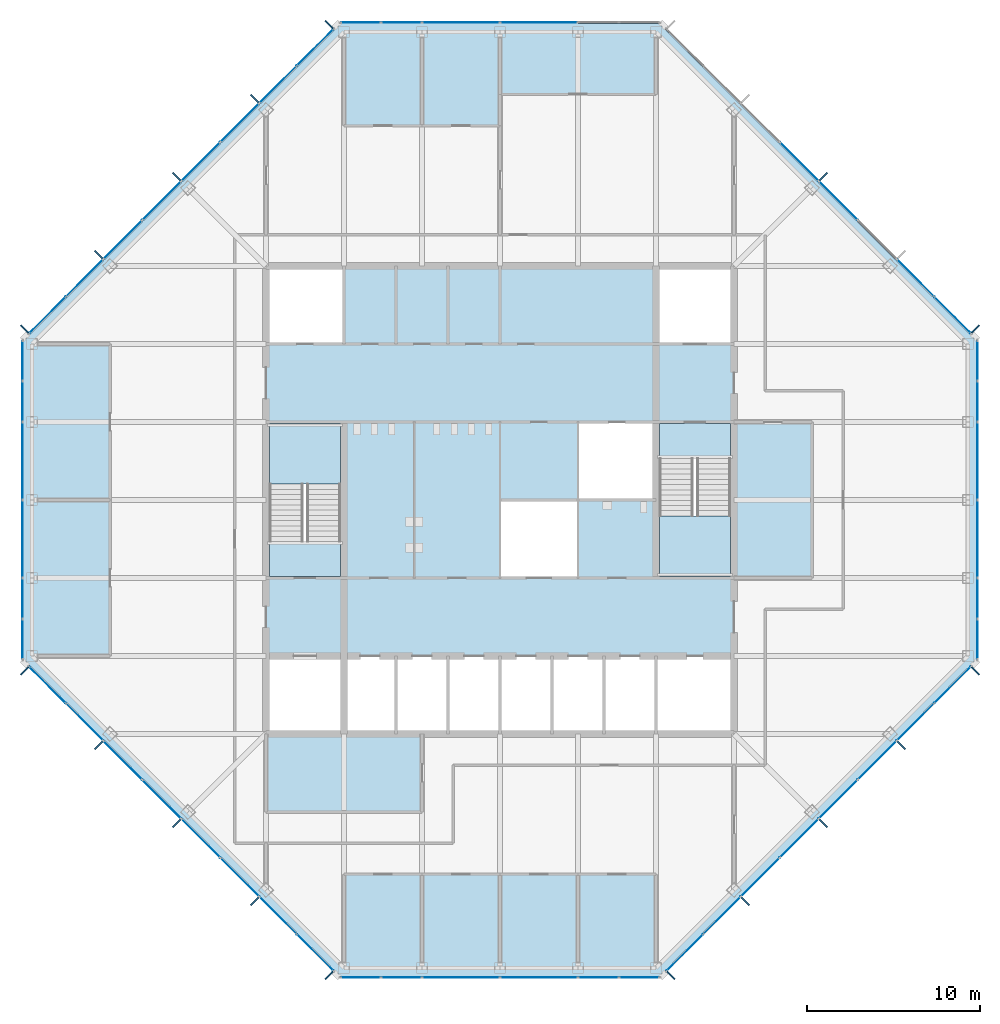
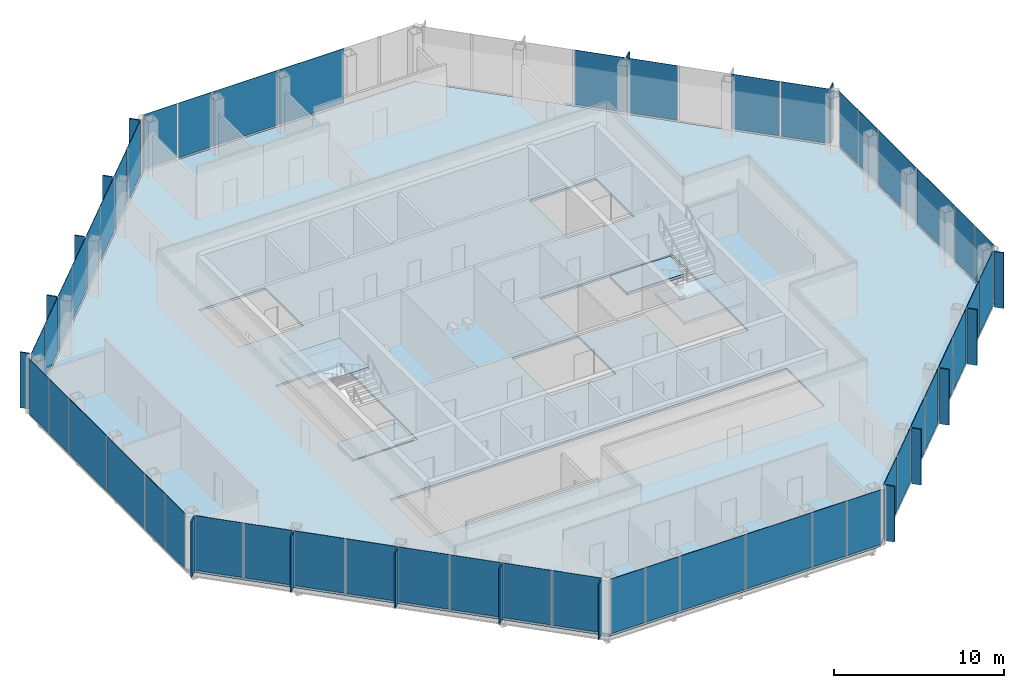
# One storey, part 8 of 13: 67 plates, 5 slabs, 10 elements without a shape of their own.
"""IFC4 building model written with IfcOpenShell, lengths in metres."""

from ifc_helpers import new_model, si_unit, direction, frame, origin, origin_2d, place, context, subcontext, project, spatial, polyline, rectangle, outline, extrude, material, layer, layer_set, type_object, element, aggregate, save


model = new_model("IFC4")

# Units and contexts
model_context = context("Model", 3, precision=1e-05, world=origin(), true_north=direction((0.0, 1.0)))
body_context = subcontext(model_context, "Body", "Model", "MODEL_VIEW")
ifc_project = project(units=[si_unit("LENGTHUNIT", "METRE"), si_unit("AREAUNIT", "SQUARE_METRE"), si_unit("VOLUMEUNIT", "CUBIC_METRE"), si_unit("PLANEANGLEUNIT", "RADIAN"), si_unit("MASSUNIT", "GRAM", prefix="KILO")], contexts=[model_context])

# Site, building, storey
site_placement = place(None, origin())
site = spatial("IfcSite", under=ifc_project, at=site_placement, CompositionType="ELEMENT")
building_placement = place(site_placement, origin())
building = spatial("IfcBuilding", under=site, at=building_placement, Name="Corais Broadcast Tower", CompositionType="ELEMENT")
storey_placement = place(building_placement, frame((0.0, 0.0, 226.60009765625)))
storey = spatial("IfcBuildingStorey", under=building, at=storey_placement, Name="L52", CompositionType="ELEMENT", Elevation=226.60009765625)

# Slab
ifc_material_1 = material(Name="Concrete C30/37", Category="concrete")
ifc_layer_1 = layer(ifc_material_1, 0.159912109375)
ifc_layer_set_1 = layer_set([ifc_layer_1], Name="Concrete C30/37")
slab_type_1 = type_object("IfcSlabType", Name="Composite floor slab 160", PredefinedType="FLOOR", material=ifc_layer_set_1)
slab_1_placement = place(storey_placement, frame((0.0, 0.0, -0.16015625)))
element("IfcSlab", 1, at=slab_1_placement, inside=storey, type_object=slab_type_1, Name="S160 floor slab L52", PredefinedType="FLOOR", context=body_context, shape_type="SweptSolid", body=[
    extrude(outline(polyline([(17.80126953125, -0.47998046875), (-0.47998046875, 17.80126953125), (-0.47998046875, 36.19873046875), (17.80126953125, 54.47998046875), (36.19873046875, 54.47998046875), (54.47998046875, 36.19873046875), (54.47998046875, 17.80126953125), (36.19873046875, -0.47998046875), (17.80126953125, -0.47998046875)]), holes=[polyline([(13.5, 18.0), (40.5, 18.0), (40.5, 13.5), (13.5, 13.5), (13.5, 18.0)]), polyline([(18.0, 22.5), (13.5, 22.5), (13.5, 31.5), (18.0, 31.5), (18.0, 22.5)]), polyline([(18.0, 36.0), (13.5, 36.0), (13.5, 40.5), (18.0, 40.5), (18.0, 36.0)]), polyline([(31.5, 22.5), (27.0, 22.5), (27.0, 27.0), (31.4951171875, 27.0), (31.4951171875, 27.0048828125), (31.5, 27.0048828125), (31.5, 31.5), (40.5, 31.5), (40.5, 22.5), (36.0, 22.5), (36.0, 27.0), (31.5048828125, 27.0), (31.5048828125, 26.9951171875), (31.5, 26.9951171875), (31.5, 22.5)]), polyline([(40.5, 36.0), (36.0, 36.0), (36.0, 40.5), (40.5, 40.5), (40.5, 36.0)])]), origin(), (0.0, 0.0, 1.0), 0.16015625),
])

# Curtain wall, plates
ifc_material_2 = material(Name="Aluminium and glass", Category="aluminium")
curtain_wall_type = type_object("IfcCurtainWallType", Name="Unitised fritted curtain wall CW3", PredefinedType="NOTDEFINED", material=ifc_material_2)
curtain_wall_1_placement = place(storey_placement, origin())
curtain_wall_1 = element("IfcCurtainWall", 2, at=curtain_wall_1_placement, inside=storey, type_object=curtain_wall_type, Name="CW3 curtain wall L52 1", PredefinedType="NOTDEFINED")
ifc_material_3 = material(Name="Ceramic-fritted laminated glass", Category="glass")
ifc_layer_2 = layer(ifc_material_3, 0.02587890625)
ifc_layer_set_2 = layer_set([ifc_layer_2], Name="Ceramic-fritted laminated glass")
plate_type_1 = type_object("IfcPlateType", Name="Fritted glass panel CW3", PredefinedType="CURTAIN_PANEL", material=ifc_layer_set_2)
plate_1_placement = place(storey_placement, frame((16.330322265625, 0.891845703125, 0.06494140625), z_axis=(0.0, 0.0, 1.0), x_axis=(-0.707106781187, 0.707106781187, 0.0)))
plate_1 = element("IfcPlate", 3, at=plate_1_placement, type_object=plate_type_1, Name="CW3 panel 1", PredefinedType="CURTAIN_PANEL", context=body_context, shape_type="SweptSolid", body=[
    extrude(rectangle(XDim=2.9482421875, YDim=0.02587890625, at=origin_2d()), origin(), (0.0, 0.0, 1.0), 3.93505859375),
])
plate_2_placement = place(storey_placement, frame((11.986083984375, 5.236083984375, 0.06494140625), z_axis=(0.0, 0.0, 1.0), x_axis=(-0.707106781187, 0.707106781187, 0.0)))
plate_2 = element("IfcPlate", 4, at=plate_2_placement, type_object=plate_type_1, Name="CW3 panel 3", PredefinedType="CURTAIN_PANEL", context=body_context, shape_type="SweptSolid", body=[
    extrude(rectangle(XDim=3.116943359375, YDim=0.02587890625, at=origin_2d()), origin(), (0.0, 0.0, 1.0), 3.93505859375),
])
plate_3_placement = place(storey_placement, frame((7.486083984375, 9.736083984375, 0.06494140625), z_axis=(0.0, 0.0, 1.0), x_axis=(-0.707106781187, 0.707106781187, 0.0)))
plate_3 = element("IfcPlate", 5, at=plate_3_placement, type_object=plate_type_1, Name="CW3 panel 5", PredefinedType="CURTAIN_PANEL", context=body_context, shape_type="SweptSolid", body=[
    extrude(rectangle(XDim=3.116943359375, YDim=0.02587890625, at=origin_2d()), origin(), (0.0, 0.0, 1.0), 3.93505859375),
])
plate_4_placement = place(storey_placement, frame((3.0341796875, 14.18798828125, 0.06494140625), z_axis=(0.0, 0.0, 1.0), x_axis=(-0.707106781187, 0.707106781187, 0.0)))
plate_4 = element("IfcPlate", 6, at=plate_4_placement, type_object=plate_type_1, Name="CW3 panel 7", PredefinedType="CURTAIN_PANEL", context=body_context, shape_type="SweptSolid", body=[
    extrude(rectangle(XDim=2.98095703125, YDim=0.02587890625, at=origin_2d()), origin(), (0.0, 0.0, 1.0), 3.93505859375),
])

curtain_wall_2_placement = place(storey_placement, origin())
curtain_wall_2 = element("IfcCurtainWall", 7, at=curtain_wall_2_placement, inside=storey, type_object=curtain_wall_type, Name="CW3 curtain wall L52 2", PredefinedType="NOTDEFINED")
plate_5_placement = place(storey_placement, frame((-0.550048828125, 18.970458984375, 0.06494140625), z_axis=(0.0, 0.0, 1.0), x_axis=(0.0, 1.0, 0.0)))
plate_5 = element("IfcPlate", 8, at=plate_5_placement, type_object=plate_type_1, Name="CW3 panel 1", PredefinedType="CURTAIN_PANEL", context=body_context, shape_type="SweptSolid", body=[
    extrude(rectangle(XDim=2.266357421875, YDim=0.02587890625, at=origin_2d()), origin(), (0.0, 0.0, 1.0), 3.93505859375),
])
plate_6_placement = place(storey_placement, frame((-0.550048828125, 24.75, 0.06494140625), z_axis=(0.0, 0.0, 1.0), x_axis=(0.0, 1.0, 0.0)))
plate_6 = element("IfcPlate", 9, at=plate_6_placement, type_object=plate_type_1, Name="CW3 panel 3", PredefinedType="CURTAIN_PANEL", context=body_context, shape_type="SweptSolid", body=[
    extrude(rectangle(XDim=4.43505859375, YDim=0.02587890625, at=origin_2d()), origin(), (0.0, 0.0, 1.0), 3.93505859375),
])
plate_7_placement = place(storey_placement, frame((-0.550048828125, 32.681884765625, 0.06494140625), z_axis=(0.0, 0.0, 1.0), x_axis=(0.0, 1.0, 0.0)))
plate_7 = element("IfcPlate", 10, at=plate_7_placement, type_object=plate_type_1, Name="CW3 panel 5", PredefinedType="CURTAIN_PANEL", context=body_context, shape_type="SweptSolid", body=[
    extrude(rectangle(XDim=2.298828125, YDim=0.02587890625, at=origin_2d()), origin(), (0.0, 0.0, 1.0), 3.93505859375),
])

curtain_wall_3_placement = place(storey_placement, origin())
curtain_wall_3 = element("IfcCurtainWall", 11, at=curtain_wall_3_placement, inside=storey, type_object=curtain_wall_type, Name="CW3 curtain wall L52 3", PredefinedType="NOTDEFINED")
plate_8_placement = place(storey_placement, frame((0.891845703125, 37.669677734375, 0.06494140625), z_axis=(0.0, 0.0, 1.0), x_axis=(0.707106781187, 0.707106781187, 0.0)))
plate_8 = element("IfcPlate", 12, at=plate_8_placement, type_object=plate_type_1, Name="CW3 panel 1", PredefinedType="CURTAIN_PANEL", context=body_context, shape_type="SweptSolid", body=[
    extrude(rectangle(XDim=2.9482421875, YDim=0.02587890625, at=origin_2d()), origin(), (0.0, 0.0, 1.0), 3.93505859375),
])
plate_9_placement = place(storey_placement, frame((5.236083984375, 42.013916015625, 0.06494140625), z_axis=(0.0, 0.0, 1.0), x_axis=(0.707106781187, 0.707106781187, 0.0)))
plate_9 = element("IfcPlate", 13, at=plate_9_placement, type_object=plate_type_1, Name="CW3 panel 3", PredefinedType="CURTAIN_PANEL", context=body_context, shape_type="SweptSolid", body=[
    extrude(rectangle(XDim=3.116943359375, YDim=0.02587890625, at=origin_2d()), origin(), (0.0, 0.0, 1.0), 3.93505859375),
])
plate_10_placement = place(storey_placement, frame((9.736083984375, 46.513916015625, 0.06494140625), z_axis=(0.0, 0.0, 1.0), x_axis=(0.707106781187, 0.707106781187, 0.0)))
plate_10 = element("IfcPlate", 14, at=plate_10_placement, type_object=plate_type_1, Name="CW3 panel 5", PredefinedType="CURTAIN_PANEL", context=body_context, shape_type="SweptSolid", body=[
    extrude(rectangle(XDim=3.116943359375, YDim=0.02587890625, at=origin_2d()), origin(), (0.0, 0.0, 1.0), 3.93505859375),
])
plate_11_placement = place(storey_placement, frame((14.18798828125, 50.9658203125, 0.06494140625), z_axis=(0.0, 0.0, 1.0), x_axis=(0.707106781187, 0.707106781187, 0.0)))
plate_11 = element("IfcPlate", 15, at=plate_11_placement, type_object=plate_type_1, Name="CW3 panel 7", PredefinedType="CURTAIN_PANEL", context=body_context, shape_type="SweptSolid", body=[
    extrude(rectangle(XDim=2.98095703125, YDim=0.02587890625, at=origin_2d()), origin(), (0.0, 0.0, 1.0), 3.93505859375),
])

curtain_wall_4_placement = place(storey_placement, origin())
curtain_wall_4 = element("IfcCurtainWall", 16, at=curtain_wall_4_placement, inside=storey, type_object=curtain_wall_type, Name="CW3 curtain wall L52 4", PredefinedType="NOTDEFINED")
plate_12_placement = place(storey_placement, frame((18.970458984375, 54.550048828125, 0.06494140625), z_axis=(0.0, 0.0, 1.0), x_axis=(1.0, 0.0, 0.0)))
plate_12 = element("IfcPlate", 17, at=plate_12_placement, type_object=plate_type_1, Name="CW3 panel 1", PredefinedType="CURTAIN_PANEL", context=body_context, shape_type="SweptSolid", body=[
    extrude(rectangle(XDim=2.266357421875, YDim=0.02587890625, at=origin_2d()), origin(), (0.0, 0.0, 1.0), 3.93505859375),
])
plate_13_placement = place(storey_placement, frame((24.75, 54.550048828125, 0.06494140625), z_axis=(0.0, 0.0, 1.0), x_axis=(1.0, 0.0, 0.0)))
plate_13 = element("IfcPlate", 18, at=plate_13_placement, type_object=plate_type_1, Name="CW3 panel 3", PredefinedType="CURTAIN_PANEL", context=body_context, shape_type="SweptSolid", body=[
    extrude(rectangle(XDim=4.43505859375, YDim=0.02587890625, at=origin_2d()), origin(), (0.0, 0.0, 1.0), 3.93505859375),
])

curtain_wall_5_placement = place(storey_placement, origin())
curtain_wall_5 = element("IfcCurtainWall", 19, at=curtain_wall_5_placement, inside=storey, type_object=curtain_wall_type, Name="CW3 curtain wall L52 5", PredefinedType="NOTDEFINED")
plate_14_placement = place(storey_placement, frame((46.513916015625, 44.263916015625, 0.06494140625), z_axis=(0.0, 0.0, 1.0), x_axis=(0.707106781187, -0.707106781187, 0.0)))
plate_14 = element("IfcPlate", 20, at=plate_14_placement, type_object=plate_type_1, Name="CW3 panel 5", PredefinedType="CURTAIN_PANEL", context=body_context, shape_type="SweptSolid", body=[
    extrude(rectangle(XDim=3.116943359375, YDim=0.02587890625, at=origin_2d()), origin(), (0.0, 0.0, 1.0), 3.93505859375),
])
plate_15_placement = place(storey_placement, frame((50.9658203125, 39.81201171875, 0.06494140625), z_axis=(0.0, 0.0, 1.0), x_axis=(0.707106781187, -0.707106781187, 0.0)))
plate_15 = element("IfcPlate", 21, at=plate_15_placement, type_object=plate_type_1, Name="CW3 panel 7", PredefinedType="CURTAIN_PANEL", context=body_context, shape_type="SweptSolid", body=[
    extrude(rectangle(XDim=2.98095703125, YDim=0.02587890625, at=origin_2d()), origin(), (0.0, 0.0, 1.0), 3.93505859375),
])

curtain_wall_6_placement = place(storey_placement, origin())
curtain_wall_6 = element("IfcCurtainWall", 22, at=curtain_wall_6_placement, inside=storey, type_object=curtain_wall_type, Name="CW3 curtain wall L52 6", PredefinedType="NOTDEFINED")
plate_16_placement = place(storey_placement, frame((54.550048828125, 35.029541015625, 0.06494140625), z_axis=(0.0, 0.0, 1.0), x_axis=(0.0, -1.0, 0.0)))
plate_16 = element("IfcPlate", 23, at=plate_16_placement, type_object=plate_type_1, Name="CW3 panel 1", PredefinedType="CURTAIN_PANEL", context=body_context, shape_type="SweptSolid", body=[
    extrude(rectangle(XDim=2.266357421875, YDim=0.02587890625, at=origin_2d()), origin(), (0.0, 0.0, 1.0), 3.93505859375),
])
plate_17_placement = place(storey_placement, frame((54.550048828125, 29.25, 0.06494140625), z_axis=(0.0, 0.0, 1.0), x_axis=(0.0, -1.0, 0.0)))
plate_17 = element("IfcPlate", 24, at=plate_17_placement, type_object=plate_type_1, Name="CW3 panel 3", PredefinedType="CURTAIN_PANEL", context=body_context, shape_type="SweptSolid", body=[
    extrude(rectangle(XDim=4.43505859375, YDim=0.02587890625, at=origin_2d()), origin(), (0.0, 0.0, 1.0), 3.93505859375),
])
plate_18_placement = place(storey_placement, frame((54.550048828125, 21.318115234375, 0.06494140625), z_axis=(0.0, 0.0, 1.0), x_axis=(0.0, -1.0, 0.0)))
plate_18 = element("IfcPlate", 25, at=plate_18_placement, type_object=plate_type_1, Name="CW3 panel 5", PredefinedType="CURTAIN_PANEL", context=body_context, shape_type="SweptSolid", body=[
    extrude(rectangle(XDim=2.298828125, YDim=0.02587890625, at=origin_2d()), origin(), (0.0, 0.0, 1.0), 3.93505859375),
])

curtain_wall_7_placement = place(storey_placement, origin())
curtain_wall_7 = element("IfcCurtainWall", 26, at=curtain_wall_7_placement, inside=storey, type_object=curtain_wall_type, Name="CW3 curtain wall L52 7", PredefinedType="NOTDEFINED")
plate_19_placement = place(storey_placement, frame((53.108154296875, 16.330322265625, 0.06494140625), z_axis=(0.0, 0.0, 1.0), x_axis=(-0.707106781187, -0.707106781187, 0.0)))
plate_19 = element("IfcPlate", 27, at=plate_19_placement, type_object=plate_type_1, Name="CW3 panel 1", PredefinedType="CURTAIN_PANEL", context=body_context, shape_type="SweptSolid", body=[
    extrude(rectangle(XDim=2.9482421875, YDim=0.02587890625, at=origin_2d()), origin(), (0.0, 0.0, 1.0), 3.93505859375),
])
plate_20_placement = place(storey_placement, frame((48.763916015625, 11.986083984375, 0.06494140625), z_axis=(0.0, 0.0, 1.0), x_axis=(-0.707106781187, -0.707106781187, 0.0)))
plate_20 = element("IfcPlate", 28, at=plate_20_placement, type_object=plate_type_1, Name="CW3 panel 3", PredefinedType="CURTAIN_PANEL", context=body_context, shape_type="SweptSolid", body=[
    extrude(rectangle(XDim=3.116943359375, YDim=0.02587890625, at=origin_2d()), origin(), (0.0, 0.0, 1.0), 3.93505859375),
])
plate_21_placement = place(storey_placement, frame((44.263916015625, 7.486083984375, 0.06494140625), z_axis=(0.0, 0.0, 1.0), x_axis=(-0.707106781187, -0.707106781187, 0.0)))
plate_21 = element("IfcPlate", 29, at=plate_21_placement, type_object=plate_type_1, Name="CW3 panel 5", PredefinedType="CURTAIN_PANEL", context=body_context, shape_type="SweptSolid", body=[
    extrude(rectangle(XDim=3.116943359375, YDim=0.02587890625, at=origin_2d()), origin(), (0.0, 0.0, 1.0), 3.93505859375),
])
plate_22_placement = place(storey_placement, frame((39.81201171875, 3.0341796875, 0.06494140625), z_axis=(0.0, 0.0, 1.0), x_axis=(-0.707106781187, -0.707106781187, 0.0)))
plate_22 = element("IfcPlate", 30, at=plate_22_placement, type_object=plate_type_1, Name="CW3 panel 7", PredefinedType="CURTAIN_PANEL", context=body_context, shape_type="SweptSolid", body=[
    extrude(rectangle(XDim=2.98095703125, YDim=0.02587890625, at=origin_2d()), origin(), (0.0, 0.0, 1.0), 3.93505859375),
])

curtain_wall_8_placement = place(storey_placement, origin())
curtain_wall_8 = element("IfcCurtainWall", 31, at=curtain_wall_8_placement, inside=storey, type_object=curtain_wall_type, Name="CW3 curtain wall L52 8", PredefinedType="NOTDEFINED")
plate_23_placement = place(storey_placement, frame((35.029541015625, -0.550048828125, 0.06494140625), z_axis=(0.0, 0.0, 1.0), x_axis=(-1.0, 0.0, 0.0)))
plate_23 = element("IfcPlate", 32, at=plate_23_placement, type_object=plate_type_1, Name="CW3 panel 1", PredefinedType="CURTAIN_PANEL", context=body_context, shape_type="SweptSolid", body=[
    extrude(rectangle(XDim=2.266357421875, YDim=0.02587890625, at=origin_2d()), origin(), (0.0, 0.0, 1.0), 3.93505859375),
])
plate_24_placement = place(storey_placement, frame((29.25, -0.550048828125, 0.06494140625), z_axis=(0.0, 0.0, 1.0), x_axis=(-1.0, 0.0, 0.0)))
plate_24 = element("IfcPlate", 33, at=plate_24_placement, type_object=plate_type_1, Name="CW3 panel 3", PredefinedType="CURTAIN_PANEL", context=body_context, shape_type="SweptSolid", body=[
    extrude(rectangle(XDim=4.43505859375, YDim=0.02587890625, at=origin_2d()), origin(), (0.0, 0.0, 1.0), 3.93505859375),
])
plate_25_placement = place(storey_placement, frame((21.318115234375, -0.550048828125, 0.06494140625), z_axis=(0.0, 0.0, 1.0), x_axis=(-1.0, 0.0, 0.0)))
plate_25 = element("IfcPlate", 34, at=plate_25_placement, type_object=plate_type_1, Name="CW3 panel 5", PredefinedType="CURTAIN_PANEL", context=body_context, shape_type="SweptSolid", body=[
    extrude(rectangle(XDim=2.298828125, YDim=0.02587890625, at=origin_2d()), origin(), (0.0, 0.0, 1.0), 3.93505859375),
])

# Plate
ifc_material_4 = material(Name="Clear laminated glass", Category="glass")
ifc_layer_3 = layer(ifc_material_4, 0.030029296875)
ifc_layer_set_3 = layer_set([ifc_layer_3], Name="Clear laminated glass")
plate_type_2 = type_object("IfcPlateType", Name="Operable glass panel CW3", PredefinedType="CURTAIN_PANEL", material=ifc_layer_set_3)
plate_26_placement = place(storey_placement, frame((14.18798828125, 3.0341796875, 0.06494140625), z_axis=(0.0, 0.0, 1.0), x_axis=(-0.707106781187, 0.707106781187, 0.0)))
plate_26 = element("IfcPlate", 35, at=plate_26_placement, type_object=plate_type_2, Name="CW3 operable panel 2", PredefinedType="CURTAIN_PANEL", context=body_context, shape_type="SweptSolid", body=[
    extrude(rectangle(XDim=2.98095703125, YDim=0.030029296875, at=origin_2d()), origin(), (0.0, 0.0, 1.0), 3.93505859375),
])

plate_27_placement = place(storey_placement, frame((9.736083984375, 7.486083984375, 0.06494140625), z_axis=(0.0, 0.0, 1.0), x_axis=(-0.707106781187, 0.707106781187, 0.0)))
plate_27 = element("IfcPlate", 36, at=plate_27_placement, type_object=plate_type_2, Name="CW3 operable panel 4", PredefinedType="CURTAIN_PANEL", context=body_context, shape_type="SweptSolid", body=[
    extrude(rectangle(XDim=3.116943359375, YDim=0.030029296875, at=origin_2d()), origin(), (0.0, 0.0, 1.0), 3.93505859375),
])

plate_28_placement = place(storey_placement, frame((5.236083984375, 11.986083984375, 0.06494140625), z_axis=(0.0, 0.0, 1.0), x_axis=(-0.707106781187, 0.707106781187, 0.0)))
plate_28 = element("IfcPlate", 37, at=plate_28_placement, type_object=plate_type_2, Name="CW3 operable panel 6", PredefinedType="CURTAIN_PANEL", context=body_context, shape_type="SweptSolid", body=[
    extrude(rectangle(XDim=3.116943359375, YDim=0.030029296875, at=origin_2d()), origin(), (0.0, 0.0, 1.0), 3.93505859375),
])

plate_29_placement = place(storey_placement, frame((0.89208984375, 16.330322265625, 0.06494140625), z_axis=(0.0, 0.0, 1.0), x_axis=(-0.707106781187, 0.707106781187, 0.0)))
plate_29 = element("IfcPlate", 38, at=plate_29_placement, type_object=plate_type_2, Name="CW3 operable panel 8", PredefinedType="CURTAIN_PANEL", context=body_context, shape_type="SweptSolid", body=[
    extrude(rectangle(XDim=2.948486328125, YDim=0.030029296875, at=origin_2d()), origin(), (0.0, 0.0, 1.0), 3.93505859375),
])

aggregate(curtain_wall_1, [plate_1, plate_26, plate_2, plate_27, plate_3, plate_28, plate_4, plate_29])

plate_30_placement = place(storey_placement, frame((-0.550048828125, 21.318115234375, 0.06494140625), z_axis=(0.0, 0.0, 1.0), x_axis=(0.0, 1.0, 0.0)))
plate_30 = element("IfcPlate", 39, at=plate_30_placement, type_object=plate_type_2, Name="CW3 operable panel 2", PredefinedType="CURTAIN_PANEL", context=body_context, shape_type="SweptSolid", body=[
    extrude(rectangle(XDim=2.298828125, YDim=0.030029296875, at=origin_2d()), origin(), (0.0, 0.0, 1.0), 3.93505859375),
])

plate_31_placement = place(storey_placement, frame((-0.550048828125, 29.25, 0.06494140625), z_axis=(0.0, 0.0, 1.0), x_axis=(0.0, 1.0, 0.0)))
plate_31 = element("IfcPlate", 40, at=plate_31_placement, type_object=plate_type_2, Name="CW3 operable panel 4", PredefinedType="CURTAIN_PANEL", context=body_context, shape_type="SweptSolid", body=[
    extrude(rectangle(XDim=4.43505859375, YDim=0.030029296875, at=origin_2d()), origin(), (0.0, 0.0, 1.0), 3.93505859375),
])

plate_32_placement = place(storey_placement, frame((-0.550048828125, 35.029541015625, 0.06494140625), z_axis=(0.0, 0.0, 1.0), x_axis=(0.0, 1.0, 0.0)))
plate_32 = element("IfcPlate", 41, at=plate_32_placement, type_object=plate_type_2, Name="CW3 operable panel 6", PredefinedType="CURTAIN_PANEL", context=body_context, shape_type="SweptSolid", body=[
    extrude(rectangle(XDim=2.266357421875, YDim=0.030029296875, at=origin_2d()), origin(), (0.0, 0.0, 1.0), 3.93505859375),
])

aggregate(curtain_wall_2, [plate_5, plate_30, plate_6, plate_31, plate_7, plate_32])

plate_33_placement = place(storey_placement, frame((3.0341796875, 39.81201171875, 0.06494140625), z_axis=(0.0, 0.0, 1.0), x_axis=(0.707106781187, 0.707106781187, 0.0)))
plate_33 = element("IfcPlate", 42, at=plate_33_placement, type_object=plate_type_2, Name="CW3 operable panel 2", PredefinedType="CURTAIN_PANEL", context=body_context, shape_type="SweptSolid", body=[
    extrude(rectangle(XDim=2.98095703125, YDim=0.030029296875, at=origin_2d()), origin(), (0.0, 0.0, 1.0), 3.93505859375),
])

plate_34_placement = place(storey_placement, frame((7.486083984375, 44.263916015625, 0.06494140625), z_axis=(0.0, 0.0, 1.0), x_axis=(0.707106781187, 0.707106781187, 0.0)))
plate_34 = element("IfcPlate", 43, at=plate_34_placement, type_object=plate_type_2, Name="CW3 operable panel 4", PredefinedType="CURTAIN_PANEL", context=body_context, shape_type="SweptSolid", body=[
    extrude(rectangle(XDim=3.116943359375, YDim=0.030029296875, at=origin_2d()), origin(), (0.0, 0.0, 1.0), 3.93505859375),
])

plate_35_placement = place(storey_placement, frame((11.986083984375, 48.763916015625, 0.06494140625), z_axis=(0.0, 0.0, 1.0), x_axis=(0.707106781187, 0.707106781187, 0.0)))
plate_35 = element("IfcPlate", 44, at=plate_35_placement, type_object=plate_type_2, Name="CW3 operable panel 6", PredefinedType="CURTAIN_PANEL", context=body_context, shape_type="SweptSolid", body=[
    extrude(rectangle(XDim=3.116943359375, YDim=0.030029296875, at=origin_2d()), origin(), (0.0, 0.0, 1.0), 3.93505859375),
])

plate_36_placement = place(storey_placement, frame((16.330322265625, 53.10791015625, 0.06494140625), z_axis=(0.0, 0.0, 1.0), x_axis=(0.707106781187, 0.707106781187, 0.0)))
plate_36 = element("IfcPlate", 45, at=plate_36_placement, type_object=plate_type_2, Name="CW3 operable panel 8", PredefinedType="CURTAIN_PANEL", context=body_context, shape_type="SweptSolid", body=[
    extrude(rectangle(XDim=2.948486328125, YDim=0.030029296875, at=origin_2d()), origin(), (0.0, 0.0, 1.0), 3.93505859375),
])

aggregate(curtain_wall_3, [plate_8, plate_33, plate_9, plate_34, plate_10, plate_35, plate_11, plate_36])

plate_37_placement = place(storey_placement, frame((21.318115234375, 54.550048828125, 0.06494140625), z_axis=(0.0, 0.0, 1.0), x_axis=(1.0, 0.0, 0.0)))
plate_37 = element("IfcPlate", 46, at=plate_37_placement, type_object=plate_type_2, Name="CW3 operable panel 2", PredefinedType="CURTAIN_PANEL", context=body_context, shape_type="SweptSolid", body=[
    extrude(rectangle(XDim=2.298828125, YDim=0.030029296875, at=origin_2d()), origin(), (0.0, 0.0, 1.0), 3.93505859375),
])

plate_38_placement = place(storey_placement, frame((29.25, 54.550048828125, 0.06494140625), z_axis=(0.0, 0.0, 1.0), x_axis=(1.0, 0.0, 0.0)))
plate_38 = element("IfcPlate", 47, at=plate_38_placement, type_object=plate_type_2, Name="CW3 operable panel 4", PredefinedType="CURTAIN_PANEL", context=body_context, shape_type="SweptSolid", body=[
    extrude(rectangle(XDim=4.43505859375, YDim=0.030029296875, at=origin_2d()), origin(), (0.0, 0.0, 1.0), 3.93505859375),
])

aggregate(curtain_wall_4, [plate_12, plate_37, plate_13, plate_38])

plate_39_placement = place(storey_placement, frame((44.263916015625, 46.513916015625, 0.06494140625), z_axis=(0.0, 0.0, 1.0), x_axis=(0.707106781187, -0.707106781187, 0.0)))
plate_39 = element("IfcPlate", 48, at=plate_39_placement, type_object=plate_type_2, Name="CW3 operable panel 4", PredefinedType="CURTAIN_PANEL", context=body_context, shape_type="SweptSolid", body=[
    extrude(rectangle(XDim=3.116943359375, YDim=0.030029296875, at=origin_2d()), origin(), (0.0, 0.0, 1.0), 3.93505859375),
])

plate_40_placement = place(storey_placement, frame((53.10791015625, 37.669677734375, 0.06494140625), z_axis=(0.0, 0.0, 1.0), x_axis=(0.707106781187, -0.707106781187, 0.0)))
plate_40 = element("IfcPlate", 49, at=plate_40_placement, type_object=plate_type_2, Name="CW3 operable panel 8", PredefinedType="CURTAIN_PANEL", context=body_context, shape_type="SweptSolid", body=[
    extrude(rectangle(XDim=2.948486328125, YDim=0.030029296875, at=origin_2d()), origin(), (0.0, 0.0, 1.0), 3.93505859375),
])

aggregate(curtain_wall_5, [plate_39, plate_14, plate_15, plate_40])

plate_41_placement = place(storey_placement, frame((54.550048828125, 32.681884765625, 0.06494140625), z_axis=(0.0, 0.0, 1.0), x_axis=(0.0, -1.0, 0.0)))
plate_41 = element("IfcPlate", 50, at=plate_41_placement, type_object=plate_type_2, Name="CW3 operable panel 2", PredefinedType="CURTAIN_PANEL", context=body_context, shape_type="SweptSolid", body=[
    extrude(rectangle(XDim=2.298828125, YDim=0.030029296875, at=origin_2d()), origin(), (0.0, 0.0, 1.0), 3.93505859375),
])

plate_42_placement = place(storey_placement, frame((54.550048828125, 24.75, 0.06494140625), z_axis=(0.0, 0.0, 1.0), x_axis=(0.0, -1.0, 0.0)))
plate_42 = element("IfcPlate", 51, at=plate_42_placement, type_object=plate_type_2, Name="CW3 operable panel 4", PredefinedType="CURTAIN_PANEL", context=body_context, shape_type="SweptSolid", body=[
    extrude(rectangle(XDim=4.43505859375, YDim=0.030029296875, at=origin_2d()), origin(), (0.0, 0.0, 1.0), 3.93505859375),
])

plate_43_placement = place(storey_placement, frame((54.550048828125, 18.970458984375, 0.06494140625), z_axis=(0.0, 0.0, 1.0), x_axis=(0.0, -1.0, 0.0)))
plate_43 = element("IfcPlate", 52, at=plate_43_placement, type_object=plate_type_2, Name="CW3 operable panel 6", PredefinedType="CURTAIN_PANEL", context=body_context, shape_type="SweptSolid", body=[
    extrude(rectangle(XDim=2.266357421875, YDim=0.030029296875, at=origin_2d()), origin(), (0.0, 0.0, 1.0), 3.93505859375),
])

aggregate(curtain_wall_6, [plate_16, plate_41, plate_17, plate_42, plate_18, plate_43])

plate_44_placement = place(storey_placement, frame((50.9658203125, 14.18798828125, 0.06494140625), z_axis=(0.0, 0.0, 1.0), x_axis=(-0.707106781187, -0.707106781187, 0.0)))
plate_44 = element("IfcPlate", 53, at=plate_44_placement, type_object=plate_type_2, Name="CW3 operable panel 2", PredefinedType="CURTAIN_PANEL", context=body_context, shape_type="SweptSolid", body=[
    extrude(rectangle(XDim=2.98095703125, YDim=0.030029296875, at=origin_2d()), origin(), (0.0, 0.0, 1.0), 3.93505859375),
])

plate_45_placement = place(storey_placement, frame((46.513916015625, 9.736083984375, 0.06494140625), z_axis=(0.0, 0.0, 1.0), x_axis=(-0.707106781187, -0.707106781187, 0.0)))
plate_45 = element("IfcPlate", 54, at=plate_45_placement, type_object=plate_type_2, Name="CW3 operable panel 4", PredefinedType="CURTAIN_PANEL", context=body_context, shape_type="SweptSolid", body=[
    extrude(rectangle(XDim=3.116943359375, YDim=0.030029296875, at=origin_2d()), origin(), (0.0, 0.0, 1.0), 3.93505859375),
])

plate_46_placement = place(storey_placement, frame((42.013916015625, 5.236083984375, 0.06494140625), z_axis=(0.0, 0.0, 1.0), x_axis=(-0.707106781187, -0.707106781187, 0.0)))
plate_46 = element("IfcPlate", 55, at=plate_46_placement, type_object=plate_type_2, Name="CW3 operable panel 6", PredefinedType="CURTAIN_PANEL", context=body_context, shape_type="SweptSolid", body=[
    extrude(rectangle(XDim=3.116943359375, YDim=0.030029296875, at=origin_2d()), origin(), (0.0, 0.0, 1.0), 3.93505859375),
])

plate_47_placement = place(storey_placement, frame((37.669677734375, 0.89208984375, 0.06494140625), z_axis=(0.0, 0.0, 1.0), x_axis=(-0.707106781187, -0.707106781187, 0.0)))
plate_47 = element("IfcPlate", 56, at=plate_47_placement, type_object=plate_type_2, Name="CW3 operable panel 8", PredefinedType="CURTAIN_PANEL", context=body_context, shape_type="SweptSolid", body=[
    extrude(rectangle(XDim=2.948486328125, YDim=0.030029296875, at=origin_2d()), origin(), (0.0, 0.0, 1.0), 3.93505859375),
])

aggregate(curtain_wall_7, [plate_19, plate_44, plate_20, plate_45, plate_21, plate_46, plate_22, plate_47])

plate_48_placement = place(storey_placement, frame((32.681884765625, -0.550048828125, 0.06494140625), z_axis=(0.0, 0.0, 1.0), x_axis=(-1.0, 0.0, 0.0)))
plate_48 = element("IfcPlate", 57, at=plate_48_placement, type_object=plate_type_2, Name="CW3 operable panel 2", PredefinedType="CURTAIN_PANEL", context=body_context, shape_type="SweptSolid", body=[
    extrude(rectangle(XDim=2.298828125, YDim=0.030029296875, at=origin_2d()), origin(), (0.0, 0.0, 1.0), 3.93505859375),
])

plate_49_placement = place(storey_placement, frame((24.75, -0.550048828125, 0.06494140625), z_axis=(0.0, 0.0, 1.0), x_axis=(-1.0, 0.0, 0.0)))
plate_49 = element("IfcPlate", 58, at=plate_49_placement, type_object=plate_type_2, Name="CW3 operable panel 4", PredefinedType="CURTAIN_PANEL", context=body_context, shape_type="SweptSolid", body=[
    extrude(rectangle(XDim=4.43505859375, YDim=0.030029296875, at=origin_2d()), origin(), (0.0, 0.0, 1.0), 3.93505859375),
])

plate_50_placement = place(storey_placement, frame((18.970458984375, -0.550048828125, 0.06494140625), z_axis=(0.0, 0.0, 1.0), x_axis=(-1.0, 0.0, 0.0)))
plate_50 = element("IfcPlate", 59, at=plate_50_placement, type_object=plate_type_2, Name="CW3 operable panel 6", PredefinedType="CURTAIN_PANEL", context=body_context, shape_type="SweptSolid", body=[
    extrude(rectangle(XDim=2.266357421875, YDim=0.030029296875, at=origin_2d()), origin(), (0.0, 0.0, 1.0), 3.93505859375),
])

aggregate(curtain_wall_8, [plate_23, plate_48, plate_24, plate_49, plate_25, plate_50])

# Stair, slabs
ifc_material_5 = material(Name="Concrete C30/37", Category="concrete")
stair_type = type_object("IfcStairType", Name="Half-turn stair 4000", PredefinedType="HALF_TURN_STAIR", material=ifc_material_5)
stair_1_placement = place(storey_placement, origin())
stair_1 = element("IfcStair", 60, at=stair_1_placement, inside=storey, type_object=stair_type, Name="Stair A L52", PredefinedType="HALF_TURN_STAIR")
ifc_material_6 = material(Name="Concrete C30/37", Category="concrete")
ifc_layer_4 = layer(ifc_material_6, 0.199951171875)
ifc_layer_set_4 = layer_set([ifc_layer_4], Name="Concrete C30/37")
slab_type_2 = type_object("IfcSlabType", Name="Stair landing 200", PredefinedType="LANDING", material=ifc_layer_set_4)
slab_2_placement = place(storey_placement, frame((0.0, 0.0, -0.2001953125)))
slab_2 = element("IfcSlab", 61, at=slab_2_placement, type_object=slab_type_2, Name="STA landing 1", PredefinedType="LANDING", context=body_context, shape_type="SweptSolid", body=[
    extrude(outline(polyline([(13.699951171875, 22.60009765625), (17.800048828125, 22.60009765625), (17.800048828125, 24.60009765625), (13.699951171875, 24.60009765625), (13.699951171875, 22.60009765625)])), origin(), (0.0, 0.0, 1.0), 0.2001953125),
])
slab_3_placement = place(storey_placement, frame((0.0, 0.0, 1.7998046875)))
slab_3 = element("IfcSlab", 62, at=slab_3_placement, type_object=slab_type_2, Name="STA landing 2", PredefinedType="LANDING", context=body_context, shape_type="SweptSolid", body=[
    extrude(outline(polyline([(13.699951171875, 27.922119140625), (17.800048828125, 27.922119140625), (17.800048828125, 31.39990234375), (13.699951171875, 31.39990234375), (13.699951171875, 27.922119140625)])), origin(), (0.0, 0.0, 1.0), 0.2001953125),
])
aggregate(stair_1, [slab_2, slab_3])

stair_2_placement = place(storey_placement, origin())
stair_2 = element("IfcStair", 63, at=stair_2_placement, inside=storey, type_object=stair_type, Name="Stair B L52", PredefinedType="HALF_TURN_STAIR")
slab_4_placement = place(storey_placement, frame((0.0, 0.0, -0.2001953125)))
slab_4 = element("IfcSlab", 64, at=slab_4_placement, type_object=slab_type_2, Name="STB landing 1", PredefinedType="LANDING", context=body_context, shape_type="SweptSolid", body=[
    extrude(outline(polyline([(36.199951171875, 29.39990234375), (40.300048828125, 29.39990234375), (40.300048828125, 31.39990234375), (36.199951171875, 31.39990234375), (36.199951171875, 29.39990234375)])), origin(), (0.0, 0.0, 1.0), 0.2001953125),
])
slab_5_placement = place(storey_placement, frame((0.0, 0.0, 1.7998046875)))
slab_5 = element("IfcSlab", 65, at=slab_5_placement, type_object=slab_type_2, Name="STB landing 2", PredefinedType="LANDING", context=body_context, shape_type="SweptSolid", body=[
    extrude(outline(polyline([(36.199951171875, 22.60009765625), (40.300048828125, 22.60009765625), (40.300048828125, 26.077880859375), (36.199951171875, 26.077880859375), (36.199951171875, 22.60009765625)])), origin(), (0.0, 0.0, 1.0), 0.2001953125),
])
aggregate(stair_2, [slab_4, slab_5])

# Plates
ifc_material_7 = material(Name="Granite stone cladding", Category="masonry")
ifc_layer_5 = layer(ifc_material_7, 0.080078125)
ifc_layer_set_5 = layer_set([ifc_layer_5], Name="Granite stone cladding")
plate_type_3 = type_object("IfcPlateType", Name="Stone screen fin 80x600", PredefinedType="USERDEFINED", material=ifc_layer_set_5)
for number, where, z_axis, x_axis, name in (
    (66, (17.129150390625, -0.43994140625, 0.0), (0.0, 0.0, 1.0), (-0.707106781187, 0.707106781187, 0.0), "SF1 stone screen fin L52"),
    (67, (12.844482421875, 3.844482421875, 0.0), (0.0, 0.0, 1.0), (-0.707106781187, 0.707106781187, 0.0), "SF1 stone screen fin L52"),
    (68, (8.344482421875, 8.344482421875, 0.0), (0.0, 0.0, 1.0), (-0.707106781187, 0.707106781187, 0.0), "SF1 stone screen fin L52"),
    (69, (3.844482421875, 12.844482421875, 0.0), (0.0, 0.0, 1.0), (-0.707106781187, 0.707106781187, 0.0), "SF1 stone screen fin L52"),
    (70, (-0.43994140625, 17.129150390625, 0.0), (0.0, 0.0, 1.0), (-0.707106781187, 0.707106781187, 0.0), "SF1 stone screen fin L52"),
    (71, (-0.43994140625, 36.870849609375, 0.0), (0.0, 0.0, 1.0), (0.707106781187, 0.707106781187, 0.0), "SF1 stone screen fin L52"),
    (72, (3.844482421875, 41.155517578125, 0.0), (0.0, 0.0, 1.0), (0.707106781187, 0.707106781187, 0.0), "SF1 stone screen fin L52"),
    (73, (8.344482421875, 45.655517578125, 0.0), (0.0, 0.0, 1.0), (0.707106781187, 0.707106781187, 0.0), "SF1 stone screen fin L52"),
    (74, (12.844482421875, 50.155517578125, 0.0), (0.0, 0.0, 1.0), (0.707106781187, 0.707106781187, 0.0), "SF1 stone screen fin L52"),
    (75, (17.129150390625, 54.43994140625, 0.0), (0.0, 0.0, 1.0), (0.707106781187, 0.707106781187, 0.0), "SF1 stone screen fin L52"),
    (76, (45.655517578125, 45.655517578125, 0.0), (0.0, 0.0, 1.0), (0.707106781187, -0.707106781187, 0.0), "SF1 stone screen fin L52"),
    (77, (54.43994140625, 36.870849609375, 0.0), (0.0, 0.0, 1.0), (0.707106781187, -0.707106781187, 0.0), "SF1 stone screen fin L52"),
    (78, (54.43994140625, 17.129150390625, 0.0), (0.0, 0.0, 1.0), (-0.707106781187, -0.707106781187, 0.0), "SF1 stone screen fin L52"),
    (79, (50.155517578125, 12.844482421875, 0.0), (0.0, 0.0, 1.0), (-0.707106781187, -0.707106781187, 0.0), "SF1 stone screen fin L52"),
    (80, (45.655517578125, 8.344482421875, 0.0), (0.0, 0.0, 1.0), (-0.707106781187, -0.707106781187, 0.0), "SF1 stone screen fin L52"),
    (81, (41.155517578125, 3.844482421875, 0.0), (0.0, 0.0, 1.0), (-0.707106781187, -0.707106781187, 0.0), "SF1 stone screen fin L52"),
    (82, (36.870849609375, -0.43994140625, 0.0), (0.0, 0.0, 1.0), (-0.707106781187, -0.707106781187, 0.0), "SF1 stone screen fin L52"),
):
    element("IfcPlate", number, at=place(storey_placement, frame(where, z_axis=z_axis, x_axis=x_axis)), inside=storey, type_object=plate_type_3, Name=name, ObjectType="STONE SCREEN FIN", PredefinedType="USERDEFINED", context=body_context, shape_type="SweptSolid", body=[
        extrude(rectangle(XDim=0.080078125, YDim=0.60009765625, at=origin_2d()), origin(), (0.0, 0.0, 1.0), 4.0),
    ])

save(model, "model.ifc")
